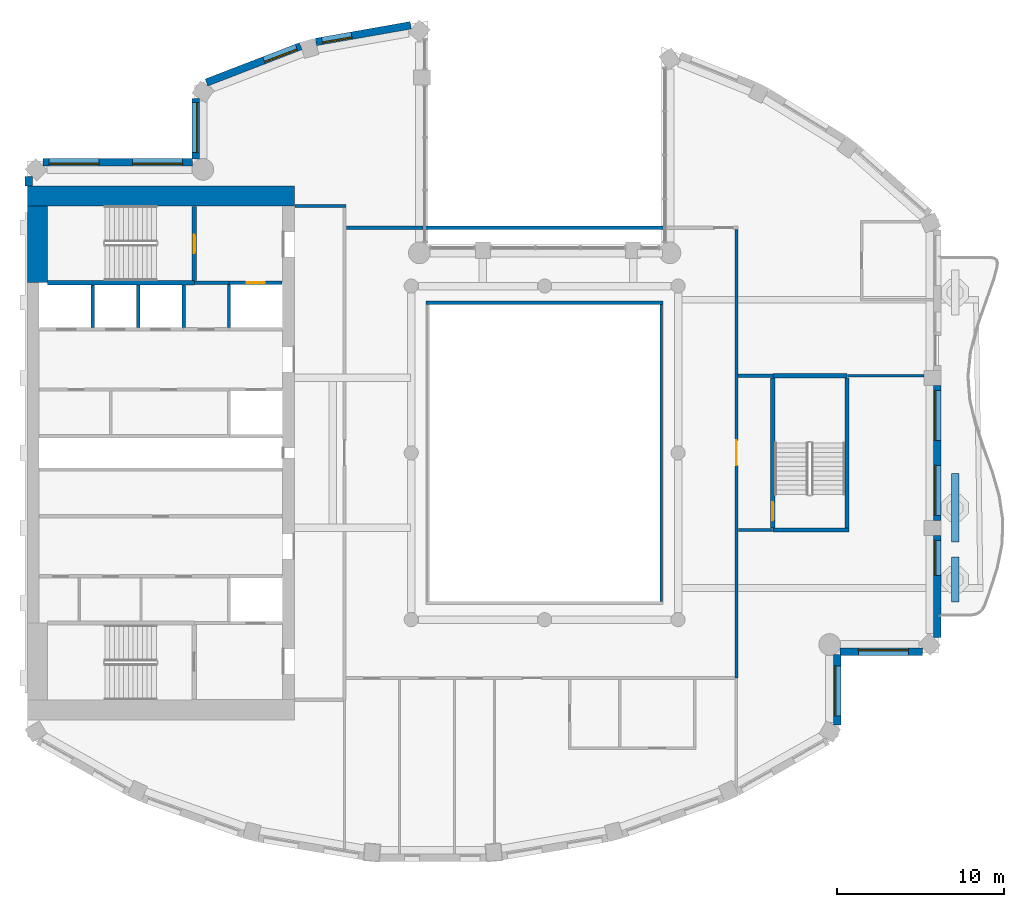
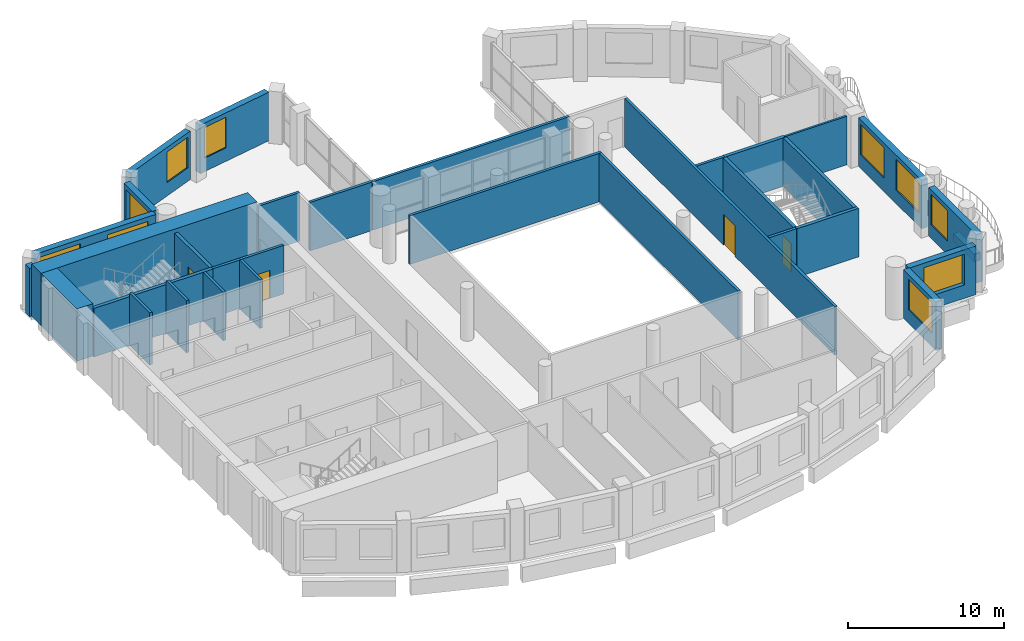
# One storey, part 6 of 14: 34 walls, 10 windows, 4 doors, 14 openings.
"""IFC4 building model written with IfcOpenShell, lengths in metres."""

from ifc_helpers import new_model, si_unit, direction, frame, frame_2d, origin, place, context, subcontext, project, spatial, rectangle, extrude, material, layer, layer_set, type_object, element, fill, save


model = new_model("IFC4")

# Units and contexts
model_context = context("Model", 3, precision=1e-05, world=origin(), true_north=direction((0.0, 1.0)))
body_context = subcontext(model_context, "Body", "Model", "MODEL_VIEW")
ifc_project = project(units=[si_unit("LENGTHUNIT", "METRE"), si_unit("AREAUNIT", "SQUARE_METRE"), si_unit("VOLUMEUNIT", "CUBIC_METRE"), si_unit("PLANEANGLEUNIT", "RADIAN"), si_unit("MASSUNIT", "GRAM", prefix="KILO")], contexts=[model_context])

# Site, building, storey
site_placement = place(None, origin())
site = spatial("IfcSite", under=ifc_project, at=site_placement, CompositionType="ELEMENT")
building_placement = place(site_placement, origin())
building = spatial("IfcBuilding", under=site, at=building_placement, Name="Cypress Arch Tower", CompositionType="ELEMENT")
storey_placement = place(building_placement, frame((0.0, 0.0, 263.89990234375)))
storey = spatial("IfcBuildingStorey", under=building, at=storey_placement, Name="L59", CompositionType="ELEMENT", Elevation=263.89990234375)

# Walls
ifc_material_1 = material(Name="Concrete C40/50, waterproofed", Category="concrete")
ifc_layer_1 = layer(ifc_material_1, 0.449951171875)
ifc_layer_set_1 = layer_set([ifc_layer_1], Name="Balcony planter wall PW450")
wall_type_1 = type_object("IfcWallType", Name="Balcony planter wall PW450", PredefinedType="SOLIDWALL", material=ifc_layer_set_1)
wall_1_placement = place(storey_placement, frame((25.60009765625, -8.949951171875, 0.0), z_axis=(0.0, 0.0, 1.0), x_axis=(0.0, 1.0, 0.0)))
element("IfcWall", 1, at=wall_1_placement, inside=storey, type_object=wall_type_1, Name="Balcony planter wall L59-C17.1", PredefinedType="SOLIDWALL", context=body_context, shape_type="SweptSolid", body=[
    extrude(rectangle(XDim=2.699951171875, YDim=0.449951171875, at=frame_2d((1.35009765625, 0.0))), origin(), (0.0, 0.0, 1.0), 0.60009765625),
])
wall_2_placement = place(storey_placement, frame((25.60009765625, -5.35009765625, 0.0), z_axis=(0.0, 0.0, 1.0), x_axis=(0.0, 1.0, 0.0)))
element("IfcWall", 2, at=wall_2_placement, inside=storey, type_object=wall_type_1, Name="Balcony planter wall L59-C17.2", PredefinedType="SOLIDWALL", context=body_context, shape_type="SweptSolid", body=[
    extrude(rectangle(XDim=4.10009765625, YDim=0.449951171875, at=frame_2d((2.050048828125, 0.0))), origin(), (0.0, 0.0, 1.0), 0.60009765625),
])

# Wall, opening, window
ifc_material_2 = material(Name="Brick (red buff blend)", Category="masonry")
ifc_layer_2 = layer(ifc_material_2, 0.449951171875)
ifc_layer_set_2 = layer_set([ifc_layer_2], Name="Brick pier and spandrel wall BW450")
wall_type_2 = type_object("IfcWallType", Name="Brick pier and spandrel wall BW450", PredefinedType="SOLIDWALL", material=ifc_layer_set_2)
wall_3_placement = place(storey_placement, frame((-7.028564453125, 25.63232421875, 0.0), z_axis=(0.0, 0.0, 1.0), x_axis=(-0.984797606634, -0.173705710808, 0.0)))
wall_3 = element("IfcWall", 3, at=wall_3_placement, inside=storey, type_object=wall_type_2, Name="Brick wall L59 C03.0", PredefinedType="SOLIDWALL", context=body_context, shape_type="SweptSolid", body=[
    extrude(rectangle(XDim=5.772216796875, YDim=0.449951171875, at=frame_2d((2.88623046875, 0.0))), origin(), (0.0, 0.0, 1.0), 3.800048828125),
])
opening_1_placement = place(wall_3_placement, frame((3.59326171875, 0.0, 1.050048828125)))
opening_1 = element("IfcOpeningElement", 4, at=opening_1_placement, cuts=wall_3, Name="Opening W180O", PredefinedType="OPENING", context=body_context, shape_type="SweptSolid", body=[
    extrude(rectangle(XDim=1.800048828125, YDim=2.39990234375, at=frame_2d((0.89990234375, 1.199951171875))), frame((0.0, 0.23486328125, 0.0), z_axis=(0.0, -1.0, 0.0), x_axis=(1.0, 0.0, 0.0)), (0.0, 0.0, 1.0), 0.469970703125),
])
ifc_material_3 = material(Name="Anodised aluminium, bronze finish, clear low-emissivity double glazing", Category="aluminium")
window_type_1 = type_object("IfcWindowType", Name="Window Office 1800x2400", PartitioningType="SINGLE_PANEL", PredefinedType="WINDOW", material=ifc_material_3)
window_1_placement = place(opening_1_placement, origin())
window_1 = element("IfcWindow", 5, at=window_1_placement, inside=storey, type_object=window_type_1, Name="Window L59 C03.0.2", OverallHeight=2.39990234375, OverallWidth=1.800048828125, PartitioningType="SINGLE_PANEL", PredefinedType="WINDOW", context=body_context, shape_type="SweptSolid", body=[
    extrude(rectangle(XDim=1.800048828125, YDim=2.39990234375, at=frame_2d((0.89990234375, 1.199951171875))), frame((0.0, 0.135009765625, 0.0), z_axis=(0.0, -1.0, 0.0), x_axis=(1.0, 0.0, 0.0)), (0.0, 0.0, 1.0), 0.06005859375),
])
fill(opening_1, window_1)

wall_4_placement = place(storey_placement, frame((-13.6220703125, 24.376953125, 0.0), z_axis=(0.0, 0.0, 1.0), x_axis=(-0.933129259679, -0.359541075164, 0.0)))
wall_4 = element("IfcWall", 6, at=wall_4_placement, inside=storey, type_object=wall_type_2, Name="Brick wall L59 C04.0", PredefinedType="SOLIDWALL", context=body_context, shape_type="SweptSolid", body=[
    extrude(rectangle(XDim=6.05419921875, YDim=0.449951171875, at=frame_2d((3.027099609375, 0.0))), origin(), (0.0, 0.0, 1.0), 3.800048828125),
])
opening_2_placement = place(wall_4_placement, frame((0.260986328125, 0.0, 1.050048828125)))
opening_2 = element("IfcOpeningElement", 7, at=opening_2_placement, cuts=wall_4, Name="Opening W210O", PredefinedType="OPENING", context=body_context, shape_type="SweptSolid", body=[
    extrude(rectangle(XDim=2.10009765625, YDim=2.39990234375, at=frame_2d((1.050048828125, 1.199951171875))), frame((0.0, 0.23486328125, 0.0), z_axis=(0.0, -1.0, 0.0), x_axis=(1.0, 0.0, 0.0)), (0.0, 0.0, 1.0), 0.469970703125),
])
ifc_material_4 = material(Name="Anodised aluminium, bronze finish, clear low-emissivity double glazing", Category="aluminium")
window_type_2 = type_object("IfcWindowType", Name="Window Office 2100x2400", PartitioningType="SINGLE_PANEL", PredefinedType="WINDOW", material=ifc_material_4)
window_2_placement = place(opening_2_placement, origin())
window_2 = element("IfcWindow", 8, at=window_2_placement, inside=storey, type_object=window_type_2, Name="Window L59 C04.0.1", OverallHeight=2.39990234375, OverallWidth=2.10009765625, PartitioningType="SINGLE_PANEL", PredefinedType="WINDOW", context=body_context, shape_type="SweptSolid", body=[
    extrude(rectangle(XDim=2.10009765625, YDim=2.39990234375, at=frame_2d((1.050048828125, 1.199951171875))), frame((0.0, 0.135009765625, 0.0), z_axis=(0.0, -1.0, 0.0), x_axis=(1.0, 0.0, 0.0)), (0.0, 0.0, 1.0), 0.06005859375),
])
fill(opening_2, window_2)

wall_5_placement = place(storey_placement, frame((-19.925048828125, 21.248291015625, 0.0), z_axis=(0.0, 0.0, 1.0), x_axis=(0.0, -1.0, 0.0)))
wall_5 = element("IfcWall", 9, at=wall_5_placement, inside=storey, type_object=wall_type_2, Name="Brick wall L59 C05.0", PredefinedType="SOLIDWALL", context=body_context, shape_type="SweptSolid", body=[
    extrude(rectangle(XDim=3.646728515625, YDim=0.449951171875, at=frame_2d((1.8232421875, 0.0))), origin(), (0.0, 0.0, 1.0), 3.800048828125),
])
opening_3_placement = place(wall_5_placement, frame((0.251220703125, 0.0, 1.050048828125)))
opening_3 = element("IfcOpeningElement", 10, at=opening_3_placement, cuts=wall_5, Name="Opening W300O", PredefinedType="OPENING", context=body_context, shape_type="SweptSolid", body=[
    extrude(rectangle(XDim=3.0, YDim=2.39990234375, at=frame_2d((1.5, 1.199951171875))), frame((0.0, 0.23486328125, 0.0), z_axis=(0.0, -1.0, 0.0), x_axis=(1.0, 0.0, 0.0)), (0.0, 0.0, 1.0), 0.469970703125),
])
ifc_material_5 = material(Name="Anodised aluminium, bronze finish, clear low-emissivity double glazing", Category="aluminium")
window_type_3 = type_object("IfcWindowType", Name="Window Office 3000x2400", PartitioningType="SINGLE_PANEL", PredefinedType="WINDOW", material=ifc_material_5)
window_3_placement = place(opening_3_placement, origin())
window_3 = element("IfcWindow", 11, at=window_3_placement, inside=storey, type_object=window_type_3, Name="Window L59 C05.0.1", OverallHeight=2.39990234375, OverallWidth=3.0, PartitioningType="SINGLE_PANEL", PredefinedType="WINDOW", context=body_context, shape_type="SweptSolid", body=[
    extrude(rectangle(XDim=3.0, YDim=2.39990234375, at=frame_2d((1.5, 1.199951171875))), frame((0.0, 0.135009765625, 0.0), z_axis=(0.0, -1.0, 0.0), x_axis=(1.0, 0.0, 0.0)), (0.0, 0.0, 1.0), 0.06005859375),
])
fill(opening_3, window_3)

# Wall, openings, windows
wall_6_placement = place(storey_placement, frame((-20.1015625, 17.425048828125, 0.0), z_axis=(0.0, 0.0, 1.0), x_axis=(-1.0, 0.0, 0.0)))
wall_6 = element("IfcWall", 12, at=wall_6_placement, inside=storey, type_object=wall_type_2, Name="Brick wall L59 C06.0", PredefinedType="SOLIDWALL", context=body_context, shape_type="SweptSolid", body=[
    extrude(rectangle(XDim=8.962158203125, YDim=0.449951171875, at=frame_2d((4.48095703125, 0.0))), origin(), (0.0, 0.0, 1.0), 3.800048828125),
])
opening_4_placement = place(wall_6_placement, frame((0.598388671875, 0.0, 1.050048828125)))
opening_4 = element("IfcOpeningElement", 13, at=opening_4_placement, cuts=wall_6, Name="Opening W300O", PredefinedType="OPENING", context=body_context, shape_type="SweptSolid", body=[
    extrude(rectangle(XDim=3.0, YDim=2.39990234375, at=frame_2d((1.5, 1.199951171875))), frame((0.0, 0.23486328125, 0.0), z_axis=(0.0, -1.0, 0.0), x_axis=(1.0, 0.0, 0.0)), (0.0, 0.0, 1.0), 0.469970703125),
])
opening_5_placement = place(wall_6_placement, frame((5.598388671875, 0.0, 1.050048828125)))
opening_5 = element("IfcOpeningElement", 14, at=opening_5_placement, cuts=wall_6, Name="Opening W300O", PredefinedType="OPENING", context=body_context, shape_type="SweptSolid", body=[
    extrude(rectangle(XDim=3.0, YDim=2.39990234375, at=frame_2d((1.5, 1.199951171875))), frame((0.0, 0.23486328125, 0.0), z_axis=(0.0, -1.0, 0.0), x_axis=(1.0, 0.0, 0.0)), (0.0, 0.0, 1.0), 0.469970703125),
])
window_4_placement = place(opening_4_placement, origin())
window_4 = element("IfcWindow", 15, at=window_4_placement, inside=storey, type_object=window_type_3, Name="Window L59 C06.0.1", OverallHeight=2.39990234375, OverallWidth=3.0, PartitioningType="SINGLE_PANEL", PredefinedType="WINDOW", context=body_context, shape_type="SweptSolid", body=[
    extrude(rectangle(XDim=3.0, YDim=2.39990234375, at=frame_2d((1.5, 1.199951171875))), frame((0.0, 0.135009765625, 0.0), z_axis=(0.0, -1.0, 0.0), x_axis=(1.0, 0.0, 0.0)), (0.0, 0.0, 1.0), 0.06005859375),
])
fill(opening_4, window_4)
window_5_placement = place(opening_5_placement, origin())
window_5 = element("IfcWindow", 16, at=window_5_placement, inside=storey, type_object=window_type_3, Name="Window L59 C06.0.2", OverallHeight=2.39990234375, OverallWidth=3.0, PartitioningType="SINGLE_PANEL", PredefinedType="WINDOW", context=body_context, shape_type="SweptSolid", body=[
    extrude(rectangle(XDim=3.0, YDim=2.39990234375, at=frame_2d((1.5, 1.199951171875))), frame((0.0, 0.135009765625, 0.0), z_axis=(0.0, -1.0, 0.0), x_axis=(1.0, 0.0, 0.0)), (0.0, 0.0, 1.0), 0.06005859375),
])
fill(opening_5, window_5)

# Wall
wall_7_placement = place(storey_placement, frame((-29.925048828125, 16.563720703125, 0.0), z_axis=(0.0, 0.0, 1.0), x_axis=(0.0, -1.0, 0.0)))
element("IfcWall", 17, at=wall_7_placement, inside=storey, type_object=wall_type_2, Name="Brick wall L59 C07.0", PredefinedType="SOLIDWALL", context=body_context, shape_type="SweptSolid", body=[
    extrude(rectangle(XDim=0.563720703125, YDim=0.449951171875, at=frame_2d((0.28173828125, 0.0))), origin(), (0.0, 0.0, 1.0), 3.800048828125),
])

# Wall, opening, window
wall_8_placement = place(storey_placement, frame((18.52490234375, -16.3037109375, 0.0), z_axis=(0.0, 0.0, 1.0), x_axis=(0.0, 1.0, 0.0)))
wall_8 = element("IfcWall", 18, at=wall_8_placement, inside=storey, type_object=wall_type_2, Name="Brick wall L59 C15.0", PredefinedType="SOLIDWALL", context=body_context, shape_type="SweptSolid", body=[
    extrude(rectangle(XDim=4.2021484375, YDim=0.449951171875, at=frame_2d((2.10107421875, 0.0))), origin(), (0.0, 0.0, 1.0), 3.800048828125),
])
opening_6_placement = place(wall_8_placement, frame((0.541259765625, 0.0, 1.050048828125)))
opening_6 = element("IfcOpeningElement", 19, at=opening_6_placement, cuts=wall_8, Name="Opening W300O", PredefinedType="OPENING", context=body_context, shape_type="SweptSolid", body=[
    extrude(rectangle(XDim=3.0, YDim=2.39990234375, at=frame_2d((1.5, 1.199951171875))), frame((0.0, 0.23486328125, 0.0), z_axis=(0.0, -1.0, 0.0), x_axis=(1.0, 0.0, 0.0)), (0.0, 0.0, 1.0), 0.469970703125),
])
window_6_placement = place(opening_6_placement, origin())
window_6 = element("IfcWindow", 20, at=window_6_placement, inside=storey, type_object=window_type_3, Name="Window L59 C15.0.1", OverallHeight=2.39990234375, OverallWidth=3.0, PartitioningType="SINGLE_PANEL", PredefinedType="WINDOW", context=body_context, shape_type="SweptSolid", body=[
    extrude(rectangle(XDim=3.0, YDim=2.39990234375, at=frame_2d((1.5, 1.199951171875))), frame((0.0, 0.135009765625, 0.0), z_axis=(0.0, -1.0, 0.0), x_axis=(1.0, 0.0, 0.0)), (0.0, 0.0, 1.0), 0.06005859375),
])
fill(opening_6, window_6)

wall_9_placement = place(storey_placement, frame((18.701416015625, -11.925048828125, 0.0), z_axis=(0.0, 0.0, 1.0), x_axis=(1.0, 0.0, 0.0)))
wall_9 = element("IfcWall", 21, at=wall_9_placement, inside=storey, type_object=wall_type_2, Name="Brick wall L59 C16.0", PredefinedType="SOLIDWALL", context=body_context, shape_type="SweptSolid", body=[
    extrude(rectangle(XDim=4.962158203125, YDim=0.449951171875, at=frame_2d((2.48095703125, 0.0))), origin(), (0.0, 0.0, 1.0), 3.800048828125),
])
opening_7_placement = place(wall_9_placement, frame((1.098388671875, 0.0, 1.050048828125)))
opening_7 = element("IfcOpeningElement", 22, at=opening_7_placement, cuts=wall_9, Name="Opening W300O", PredefinedType="OPENING", context=body_context, shape_type="SweptSolid", body=[
    extrude(rectangle(XDim=3.0, YDim=2.39990234375, at=frame_2d((1.5, 1.199951171875))), frame((0.0, 0.23486328125, 0.0), z_axis=(0.0, -1.0, 0.0), x_axis=(1.0, 0.0, 0.0)), (0.0, 0.0, 1.0), 0.469970703125),
])
window_7_placement = place(opening_7_placement, origin())
window_7 = element("IfcWindow", 23, at=window_7_placement, inside=storey, type_object=window_type_3, Name="Window L59 C16.0.1", OverallHeight=2.39990234375, OverallWidth=3.0, PartitioningType="SINGLE_PANEL", PredefinedType="WINDOW", context=body_context, shape_type="SweptSolid", body=[
    extrude(rectangle(XDim=3.0, YDim=2.39990234375, at=frame_2d((1.5, 1.199951171875))), frame((0.0, 0.135009765625, 0.0), z_axis=(0.0, -1.0, 0.0), x_axis=(1.0, 0.0, 0.0)), (0.0, 0.0, 1.0), 0.06005859375),
])
fill(opening_7, window_7)

wall_10_placement = place(storey_placement, frame((24.52490234375, -11.063720703125, 0.0), z_axis=(0.0, 0.0, 1.0), x_axis=(0.0, 1.0, 0.0)))
wall_10 = element("IfcWall", 24, at=wall_10_placement, inside=storey, type_object=wall_type_2, Name="Brick wall L59 C17.0", PredefinedType="SOLIDWALL", context=body_context, shape_type="SweptSolid", body=[
    extrude(rectangle(XDim=6.11376953125, YDim=0.449951171875, at=frame_2d((3.056884765625, 0.0))), origin(), (0.0, 0.0, 1.0), 3.800048828125),
])
opening_8_placement = place(wall_10_placement, frame((3.713623046875, 0.0, 1.050048828125)))
opening_8 = element("IfcOpeningElement", 25, at=opening_8_placement, cuts=wall_10, Name="Opening W210OD", PredefinedType="OPENING", context=body_context, shape_type="SweptSolid", body=[
    extrude(rectangle(XDim=2.10009765625, YDim=2.39990234375, at=frame_2d((1.050048828125, 1.199951171875))), frame((0.0, 0.23486328125, 0.0), z_axis=(0.0, -1.0, 0.0), x_axis=(1.0, 0.0, 0.0)), (0.0, 0.0, 1.0), 0.469970703125),
])
ifc_material_6 = material(Name="Anodised aluminium, bronze finish, laminated low-emissivity double glazing, large-missile impact rated", Category="aluminium")
window_type_4 = type_object("IfcWindowType", Name="Window Office 2100x2400 debris-rated", PartitioningType="SINGLE_PANEL", PredefinedType="WINDOW", material=ifc_material_6)
window_8_placement = place(opening_8_placement, origin())
window_8 = element("IfcWindow", 26, at=window_8_placement, inside=storey, type_object=window_type_4, Name="Window L59 C17.0.2", OverallHeight=2.39990234375, OverallWidth=2.10009765625, PartitioningType="SINGLE_PANEL", PredefinedType="WINDOW", context=body_context, shape_type="SweptSolid", body=[
    extrude(rectangle(XDim=2.10009765625, YDim=2.39990234375, at=frame_2d((1.050048828125, 1.199951171875))), frame((0.0, 0.135009765625, 0.0), z_axis=(0.0, -1.0, 0.0), x_axis=(1.0, 0.0, 0.0)), (0.0, 0.0, 1.0), 0.06005859375),
])
fill(opening_8, window_8)

# Wall, openings, windows
wall_11_placement = place(storey_placement, frame((24.52490234375, -4.050048828125, 0.0), z_axis=(0.0, 0.0, 1.0), x_axis=(0.0, 1.0, 0.0)))
wall_11 = element("IfcWall", 27, at=wall_11_placement, inside=storey, type_object=wall_type_2, Name="Brick wall L59 C17.1", PredefinedType="SOLIDWALL", context=body_context, shape_type="SweptSolid", body=[
    extrude(rectangle(XDim=8.10009765625, YDim=0.449951171875, at=frame_2d((4.050048828125, 0.0))), origin(), (0.0, 0.0, 1.0), 3.800048828125),
])
opening_9_placement = place(wall_11_placement, frame((0.300048828125, 0.0, 1.050048828125)))
opening_9 = element("IfcOpeningElement", 28, at=opening_9_placement, cuts=wall_11, Name="Opening W300OD", PredefinedType="OPENING", context=body_context, shape_type="SweptSolid", body=[
    extrude(rectangle(XDim=3.0, YDim=2.39990234375, at=frame_2d((1.5, 1.199951171875))), frame((0.0, 0.23486328125, 0.0), z_axis=(0.0, -1.0, 0.0), x_axis=(1.0, 0.0, 0.0)), (0.0, 0.0, 1.0), 0.469970703125),
])
opening_10_placement = place(wall_11_placement, frame((4.800048828125, 0.0, 1.050048828125)))
opening_10 = element("IfcOpeningElement", 29, at=opening_10_placement, cuts=wall_11, Name="Opening W300OD", PredefinedType="OPENING", context=body_context, shape_type="SweptSolid", body=[
    extrude(rectangle(XDim=3.0, YDim=2.39990234375, at=frame_2d((1.5, 1.199951171875))), frame((0.0, 0.23486328125, 0.0), z_axis=(0.0, -1.0, 0.0), x_axis=(1.0, 0.0, 0.0)), (0.0, 0.0, 1.0), 0.469970703125),
])
ifc_material_7 = material(Name="Anodised aluminium, bronze finish, laminated low-emissivity double glazing, large-missile impact rated", Category="aluminium")
window_type_5 = type_object("IfcWindowType", Name="Window Office 3000x2400 debris-rated", PartitioningType="SINGLE_PANEL", PredefinedType="WINDOW", material=ifc_material_7)
window_9_placement = place(opening_9_placement, origin())
window_9 = element("IfcWindow", 30, at=window_9_placement, inside=storey, type_object=window_type_5, Name="Window L59 C17.1.1", OverallHeight=2.39990234375, OverallWidth=3.0, PartitioningType="SINGLE_PANEL", PredefinedType="WINDOW", context=body_context, shape_type="SweptSolid", body=[
    extrude(rectangle(XDim=3.0, YDim=2.39990234375, at=frame_2d((1.5, 1.199951171875))), frame((0.0, 0.135009765625, 0.0), z_axis=(0.0, -1.0, 0.0), x_axis=(1.0, 0.0, 0.0)), (0.0, 0.0, 1.0), 0.06005859375),
])
fill(opening_9, window_9)
window_10_placement = place(opening_10_placement, origin())
window_10 = element("IfcWindow", 31, at=window_10_placement, inside=storey, type_object=window_type_5, Name="Window L59 C17.1.2", OverallHeight=2.39990234375, OverallWidth=3.0, PartitioningType="SINGLE_PANEL", PredefinedType="WINDOW", context=body_context, shape_type="SweptSolid", body=[
    extrude(rectangle(XDim=3.0, YDim=2.39990234375, at=frame_2d((1.5, 1.199951171875))), frame((0.0, 0.135009765625, 0.0), z_axis=(0.0, -1.0, 0.0), x_axis=(1.0, 0.0, 0.0)), (0.0, 0.0, 1.0), 0.06005859375),
])
fill(opening_10, window_10)

# Walls
ifc_material_8 = material(Name="Concrete C60/75", Category="concrete")
ifc_layer_3 = layer(ifc_material_8, 1.199951171875)
ifc_layer_set_3 = layer_set([ifc_layer_3], Name="Core wall CW1200 C60/75")
wall_type_3 = type_object("IfcWallType", Name="Core wall CW1200 C60/75", PredefinedType="SHEAR", material=ifc_layer_set_3)
wall_12_placement = place(storey_placement, frame((-30.0, 15.39990234375, 0.0), z_axis=(0.0, 0.0, 1.0), x_axis=(1.0, 0.0, 0.0)))
element("IfcWall", 32, at=wall_12_placement, inside=storey, type_object=wall_type_3, Name="Core wall", PredefinedType="SHEAR", context=body_context, shape_type="SweptSolid", body=[
    extrude(rectangle(XDim=16.0, YDim=1.199951171875, at=frame_2d((8.0, 0.0))), origin(), (0.0, 0.0, 1.0), 4.10009765625),
])
wall_13_placement = place(storey_placement, frame((-29.39990234375, 10.199951171875, 0.0), z_axis=(0.0, 0.0, 1.0), x_axis=(0.0, 1.0, 0.0)))
element("IfcWall", 33, at=wall_13_placement, inside=storey, type_object=wall_type_3, Name="Core wall", PredefinedType="SHEAR", context=body_context, shape_type="SweptSolid", body=[
    extrude(rectangle(XDim=4.60009765625, YDim=1.199951171875, at=frame_2d((2.300048828125, 0.0))), origin(), (0.0, 0.0, 1.0), 4.10009765625),
])
ifc_material_9 = material(Name="Concrete blockwork, plastered, rated", Category="masonry")
ifc_layer_4 = layer(ifc_material_9, 0.199951171875)
ifc_layer_set_4 = layer_set([ifc_layer_4], Name="Corridor wall FW200")
wall_type_4 = type_object("IfcWallType", Name="Corridor wall FW200", PredefinedType="PARTITIONING", material=ifc_layer_set_4)
wall_14_placement = place(storey_placement, frame((-20.0, 10.199951171875, 0.0), z_axis=(0.0, 0.0, 1.0), x_axis=(1.0, 0.0, 0.0)))
element("IfcWall", 34, at=wall_14_placement, inside=storey, type_object=wall_type_4, Name="Corridor wall", PredefinedType="PARTITIONING", context=body_context, shape_type="SweptSolid", body=[
    extrude(rectangle(XDim=2.080078125, YDim=0.199951171875, at=frame_2d((1.0400390625, 0.0))), origin(), (0.0, 0.0, 1.0), 3.800048828125),
])
wall_15_placement = place(storey_placement, frame((-13.969970703125, 14.800048828125, 0.0), z_axis=(0.0, 0.0, 1.0), x_axis=(1.0, 0.0, 0.0)))
element("IfcWall", 35, at=wall_15_placement, inside=storey, type_object=wall_type_4, Name="Corridor wall", PredefinedType="PARTITIONING", context=body_context, shape_type="SweptSolid", body=[
    extrude(rectangle(XDim=3.070068359375, YDim=0.199951171875, at=frame_2d((1.53515625, 0.0))), origin(), (0.0, 0.0, 1.0), 3.800048828125),
])
wall_16_placement = place(storey_placement, frame((-10.8798828125, 13.5, 0.0), z_axis=(0.0, 0.0, 1.0), x_axis=(1.0, 0.0, 0.0)))
element("IfcWall", 36, at=wall_16_placement, inside=storey, type_object=wall_type_4, Name="Corridor wall", PredefinedType="PARTITIONING", context=body_context, shape_type="SweptSolid", body=[
    extrude(rectangle(XDim=4.579833984375, YDim=0.199951171875, at=frame_2d((2.2900390625, 0.0))), origin(), (0.0, 0.0, 1.0), 3.800048828125),
])
wall_17_placement = place(storey_placement, frame((-6.27001953125, 13.5, 0.0), z_axis=(0.0, 0.0, 1.0), x_axis=(1.0, 0.0, 0.0)))
element("IfcWall", 37, at=wall_17_placement, inside=storey, type_object=wall_type_4, Name="Corridor wall", PredefinedType="PARTITIONING", context=body_context, shape_type="SweptSolid", body=[
    extrude(rectangle(XDim=14.570068359375, YDim=0.199951171875, at=frame_2d((7.28515625, 0.0))), origin(), (0.0, 0.0, 1.0), 3.800048828125),
])
wall_18_placement = place(storey_placement, frame((-6.10009765625, 9.0, 0.0), z_axis=(0.0, 0.0, 1.0), x_axis=(1.0, 0.0, 0.0)))
element("IfcWall", 38, at=wall_18_placement, inside=storey, type_object=wall_type_4, Name="Corridor wall", PredefinedType="PARTITIONING", context=body_context, shape_type="SweptSolid", body=[
    extrude(rectangle(XDim=14.2001953125, YDim=0.199951171875, at=frame_2d((7.10009765625, 0.0))), origin(), (0.0, 0.0, 1.0), 3.800048828125),
])
wall_19_placement = place(storey_placement, frame((8.0, -8.89990234375, 0.0), z_axis=(0.0, 0.0, 1.0), x_axis=(0.0, 1.0, 0.0)))
element("IfcWall", 39, at=wall_19_placement, inside=storey, type_object=wall_type_4, Name="Corridor wall", PredefinedType="PARTITIONING", context=body_context, shape_type="SweptSolid", body=[
    extrude(rectangle(XDim=17.7998046875, YDim=0.199951171875, at=frame_2d((8.89990234375, 0.0))), origin(), (0.0, 0.0, 1.0), 3.800048828125),
])

# Wall, opening, door
wall_20_placement = place(storey_placement, frame((12.5, -13.5, 0.0), z_axis=(0.0, 0.0, 1.0), x_axis=(0.0, 1.0, 0.0)))
wall_20 = element("IfcWall", 40, at=wall_20_placement, inside=storey, type_object=wall_type_4, Name="Corridor wall", PredefinedType="PARTITIONING", context=body_context, shape_type="SweptSolid", body=[
    extrude(rectangle(XDim=26.89990234375, YDim=0.199951171875, at=frame_2d((13.449951171875, 0.0))), origin(), (0.0, 0.0, 1.0), 3.800048828125),
])
opening_11_placement = place(wall_20_placement, frame((12.75, 0.0, 0.0)))
opening_11 = element("IfcOpeningElement", 41, at=opening_11_placement, cuts=wall_20, Name="Opening D07", PredefinedType="OPENING", context=body_context, shape_type="SweptSolid", body=[
    extrude(rectangle(XDim=1.5, YDim=2.39990234375, at=frame_2d((0.75, 1.199951171875))), frame((0.0, 0.10986328125, 0.0), z_axis=(0.0, -1.0, 0.0), x_axis=(1.0, 0.0, 0.0)), (0.0, 0.0, 1.0), 0.219970703125),
])
ifc_material_10 = material(Name="Steel framed glazed door, fire resisting", Category="steel")
door_type_1 = type_object("IfcDoorType", Name="Lobby door D07 1500x2400", OperationType="DOUBLE_DOOR_SINGLE_SWING", PredefinedType="DOOR", material=ifc_material_10)
door_1_placement = place(opening_11_placement, origin())
door_1 = element("IfcDoor", 42, at=door_1_placement, inside=storey, type_object=door_type_1, Name="Lobby door", OperationType="DOUBLE_DOOR_SINGLE_SWING", OverallHeight=2.39990234375, OverallWidth=1.5, PredefinedType="DOOR", context=body_context, shape_type="SweptSolid", body=[
    extrude(rectangle(XDim=1.5, YDim=2.39990234375, at=frame_2d((0.75, 1.199951171875))), frame((0.0, 0.02490234375, 0.0), z_axis=(0.0, -1.0, 0.0), x_axis=(1.0, 0.0, 0.0)), (0.0, 0.0, 1.0), 0.050048828125),
])
fill(opening_11, door_1)

# Walls
wall_21_placement = place(storey_placement, frame((12.60009765625, 4.625, 0.0), z_axis=(0.0, 0.0, 1.0), x_axis=(1.0, 0.0, 0.0)))
element("IfcWall", 43, at=wall_21_placement, inside=storey, type_object=wall_type_4, Name="Corridor wall", PredefinedType="PARTITIONING", context=body_context, shape_type="SweptSolid", body=[
    extrude(rectangle(XDim=2.074951171875, YDim=0.199951171875, at=frame_2d((1.03759765625, 0.0))), origin(), (0.0, 0.0, 1.0), 3.800048828125),
])
wall_22_placement = place(storey_placement, frame((12.6201171875, -4.625, 0.0), z_axis=(0.0, 0.0, 1.0), x_axis=(1.0, 0.0, 0.0)))
element("IfcWall", 44, at=wall_22_placement, inside=storey, type_object=wall_type_4, Name="Corridor wall", PredefinedType="PARTITIONING", context=body_context, shape_type="SweptSolid", body=[
    extrude(rectangle(XDim=2.034912109375, YDim=0.199951171875, at=frame_2d((1.017578125, 0.0))), origin(), (0.0, 0.0, 1.0), 3.800048828125),
])
ifc_material_11 = material(Name="Blockwork, plastered both sides", Category="masonry")
ifc_layer_5 = layer(ifc_material_11, 0.14990234375)
ifc_layer_set_5 = layer_set([ifc_layer_5], Name="Partition PW150")
wall_type_5 = type_object("IfcWallType", Name="Partition PW150", PredefinedType="PARTITIONING", material=ifc_layer_set_5)
wall_23_placement = place(storey_placement, frame((19.14501953125, 4.625, 0.0), z_axis=(0.0, 0.0, 1.0), x_axis=(1.0, 0.0, 0.0)))
element("IfcWall", 45, at=wall_23_placement, inside=storey, type_object=wall_type_5, Name="Partition", PredefinedType="PARTITIONING", context=body_context, shape_type="SweptSolid", body=[
    extrude(rectangle(XDim=4.60498046875, YDim=0.14990234375, at=frame_2d((2.302490234375, 0.0))), origin(), (0.0, 0.0, 1.0), 3.800048828125),
])
ifc_material_12 = material(Name="Concrete C50/60", Category="concrete")
ifc_layer_6 = layer(ifc_material_12, 0.199951171875)
ifc_layer_set_6 = layer_set([ifc_layer_6], Name="Shaft wall SH200")
wall_type_6 = type_object("IfcWallType", Name="Shaft wall SH200", PredefinedType="SHEAR", material=ifc_layer_set_6)
for number, where, z_axis, x_axis, name in (
    (46, (-26.080078125, 7.5, 0.0), (0.0, 0.0, 1.0), (0.0, 1.0, 0.0), "Shaft wall"),
    (47, (-23.360107421875, 7.5, 0.0), (0.0, 0.0, 1.0), (0.0, 1.0, 0.0), "Shaft wall"),
):
    element("IfcWall", number, at=place(storey_placement, frame(where, z_axis=z_axis, x_axis=x_axis)), inside=storey, type_object=wall_type_6, Name=name, PredefinedType="SHEAR", context=body_context, shape_type="SweptSolid", body=[
        extrude(rectangle(XDim=2.574951171875, YDim=0.199951171875, at=frame_2d((1.28759765625, 0.0))), origin(), (0.0, 0.0, 1.0), 4.10009765625),
    ])
wall_24_placement = place(storey_placement, frame((-20.639892578125, 7.5, 0.0), z_axis=(0.0, 0.0, 1.0), x_axis=(0.0, 1.0, 0.0)))
element("IfcWall", 48, at=wall_24_placement, inside=storey, type_object=wall_type_6, Name="Shaft wall", PredefinedType="SHEAR", context=body_context, shape_type="SweptSolid", body=[
    extrude(rectangle(XDim=2.574951171875, YDim=0.199951171875, at=frame_2d((1.28759765625, 0.0))), origin(), (0.0, 0.0, 1.0), 3.800048828125),
])
wall_25_placement = place(storey_placement, frame((-17.919921875, 7.5, 0.0), z_axis=(0.0, 0.0, 1.0), x_axis=(0.0, 1.0, 0.0)))
element("IfcWall", 49, at=wall_25_placement, inside=storey, type_object=wall_type_6, Name="Shaft wall", PredefinedType="SHEAR", context=body_context, shape_type="SweptSolid", body=[
    extrude(rectangle(XDim=2.60009765625, YDim=0.199951171875, at=frame_2d((1.300048828125, 0.0))), origin(), (0.0, 0.0, 1.0), 3.800048828125),
])

# Wall, opening, door
wall_26_placement = place(storey_placement, frame((-17.919921875, 10.199951171875, 0.0), z_axis=(0.0, 0.0, 1.0), x_axis=(1.0, 0.0, 0.0)))
wall_26 = element("IfcWall", 50, at=wall_26_placement, inside=storey, type_object=wall_type_6, Name="Shaft wall", PredefinedType="SHEAR", context=body_context, shape_type="SweptSolid", body=[
    extrude(rectangle(XDim=3.18994140625, YDim=0.199951171875, at=frame_2d((1.594970703125, 0.0))), origin(), (0.0, 0.0, 1.0), 3.800048828125),
])
opening_12_placement = place(wall_26_placement, frame((1.050048828125, 0.0, 0.0)))
opening_12 = element("IfcOpeningElement", 51, at=opening_12_placement, cuts=wall_26, Name="Opening LD-FL2", PredefinedType="OPENING", context=body_context, shape_type="SweptSolid", body=[
    extrude(rectangle(XDim=1.10009765625, YDim=2.199951171875, at=frame_2d((0.550048828125, 1.10009765625))), frame((0.0, 0.10986328125, 0.0), z_axis=(0.0, -1.0, 0.0), x_axis=(1.0, 0.0, 0.0)), (0.0, 0.0, 1.0), 0.219970703125),
])
ifc_material_13 = material(Name="Stainless steel centre-opening landing door, rated", Category="steel")
door_type_2 = type_object("IfcDoorType", Name="Lift landing door LD 1100x2200", OperationType="DOUBLE_DOOR_SLIDING", PredefinedType="DOOR", material=ifc_material_13)
door_2_placement = place(opening_12_placement, origin())
door_2 = element("IfcDoor", 52, at=door_2_placement, inside=storey, type_object=door_type_2, Name="Lift landing doors FL2", OperationType="DOUBLE_DOOR_SLIDING", OverallHeight=2.199951171875, OverallWidth=1.10009765625, PredefinedType="DOOR", context=body_context, shape_type="SweptSolid", body=[
    extrude(rectangle(XDim=1.10009765625, YDim=2.199951171875, at=frame_2d((0.550048828125, 1.10009765625))), frame((0.0, 0.02490234375, 0.0), z_axis=(0.0, -1.0, 0.0), x_axis=(1.0, 0.0, 0.0)), (0.0, 0.0, 1.0), 0.050048828125),
])
fill(opening_12, door_2)

# Wall
ifc_material_14 = material(Name="Concrete C50/60", Category="concrete")
ifc_layer_7 = layer(ifc_material_14, 0.25)
ifc_layer_set_7 = layer_set([ifc_layer_7], Name="Stair enclosure wall SW250")
wall_type_7 = type_object("IfcWallType", Name="Stair enclosure wall SW250", PredefinedType="SHEAR", material=ifc_layer_set_7)
wall_27_placement = place(storey_placement, frame((-28.81005859375, 10.199951171875, 0.0), z_axis=(0.0, 0.0, 1.0), x_axis=(1.0, 0.0, 0.0)))
element("IfcWall", 53, at=wall_27_placement, inside=storey, type_object=wall_type_7, Name="Stair enclosure wall", PredefinedType="SHEAR", context=body_context, shape_type="SweptSolid", body=[
    extrude(rectangle(XDim=8.81005859375, YDim=0.25, at=frame_2d((4.405029296875, 0.0))), origin(), (0.0, 0.0, 1.0), 3.800048828125),
])

# Wall, opening, door
wall_28_placement = place(storey_placement, frame((-20.0, 10.324951171875, 0.0), z_axis=(0.0, 0.0, 1.0), x_axis=(0.0, 1.0, 0.0)))
wall_28 = element("IfcWall", 54, at=wall_28_placement, inside=storey, type_object=wall_type_7, Name="Stair enclosure wall", PredefinedType="SHEAR", context=body_context, shape_type="SweptSolid", body=[
    extrude(rectangle(XDim=4.445068359375, YDim=0.25, at=frame_2d((2.22265625, 0.0))), origin(), (0.0, 0.0, 1.0), 3.800048828125),
])
opening_13_placement = place(wall_28_placement, frame((1.64990234375, 0.0, 0.0)))
opening_13 = element("IfcOpeningElement", 55, at=opening_13_placement, cuts=wall_28, Name="Opening D06", PredefinedType="OPENING", context=body_context, shape_type="SweptSolid", body=[
    extrude(rectangle(XDim=1.10009765625, YDim=2.199951171875, at=frame_2d((0.550048828125, 1.10009765625))), frame((0.0, 0.135009765625, 0.0), z_axis=(0.0, -1.0, 0.0), x_axis=(1.0, 0.0, 0.0)), (0.0, 0.0, 1.0), 0.27001953125),
])
ifc_material_15 = material(Name="Steel door, fire resisting, panic bar", Category="steel")
door_type_3 = type_object("IfcDoorType", Name="Stair door D06 1100x2200", OperationType="SINGLE_SWING_LEFT", PredefinedType="DOOR", material=ifc_material_15)
door_3_placement = place(opening_13_placement, origin())
door_3 = element("IfcDoor", 56, at=door_3_placement, inside=storey, type_object=door_type_3, Name="Stair door", OperationType="SINGLE_SWING_LEFT", OverallHeight=2.199951171875, OverallWidth=1.10009765625, PredefinedType="DOOR", context=body_context, shape_type="SweptSolid", body=[
    extrude(rectangle(XDim=1.10009765625, YDim=2.199951171875, at=frame_2d((0.550048828125, 1.10009765625))), frame((0.0, 0.02490234375, 0.0), z_axis=(0.0, -1.0, 0.0), x_axis=(1.0, 0.0, 0.0)), (0.0, 0.0, 1.0), 0.050048828125),
])
fill(opening_13, door_3)

wall_29_placement = place(storey_placement, frame((14.675048828125, -4.5, 0.0), z_axis=(0.0, 0.0, 1.0), x_axis=(0.0, 1.0, 0.0)))
wall_29 = element("IfcWall", 57, at=wall_29_placement, inside=storey, type_object=wall_type_7, Name="Stair enclosure wall", PredefinedType="SHEAR", context=body_context, shape_type="SweptSolid", body=[
    extrude(rectangle(XDim=9.0, YDim=0.25, at=frame_2d((4.5, 0.0))), origin(), (0.0, 0.0, 1.0), 3.800048828125),
])
opening_14_placement = place(wall_29_placement, frame((0.449951171875, 0.0, 0.0)))
opening_14 = element("IfcOpeningElement", 58, at=opening_14_placement, cuts=wall_29, Name="Opening D06", PredefinedType="OPENING", context=body_context, shape_type="SweptSolid", body=[
    extrude(rectangle(XDim=1.10009765625, YDim=2.199951171875, at=frame_2d((0.550048828125, 1.10009765625))), frame((0.0, 0.135009765625, 0.0), z_axis=(0.0, -1.0, 0.0), x_axis=(1.0, 0.0, 0.0)), (0.0, 0.0, 1.0), 0.27001953125),
])
door_4_placement = place(opening_14_placement, origin())
door_4 = element("IfcDoor", 59, at=door_4_placement, inside=storey, type_object=door_type_3, Name="Stair door", OperationType="SINGLE_SWING_RIGHT", OverallHeight=2.199951171875, OverallWidth=1.10009765625, PredefinedType="DOOR", context=body_context, shape_type="SweptSolid", body=[
    extrude(rectangle(XDim=1.10009765625, YDim=2.199951171875, at=frame_2d((0.550048828125, 1.10009765625))), frame((0.0, 0.02490234375, 0.0), z_axis=(0.0, -1.0, 0.0), x_axis=(1.0, 0.0, 0.0)), (0.0, 0.0, 1.0), 0.050048828125),
])
fill(opening_14, door_4)

# Walls
wall_30_placement = place(storey_placement, frame((14.675048828125, -4.625, 0.0), z_axis=(0.0, 0.0, 1.0), x_axis=(1.0, 0.0, 0.0)))
element("IfcWall", 60, at=wall_30_placement, inside=storey, type_object=wall_type_7, Name="Stair enclosure wall", PredefinedType="SHEAR", context=body_context, shape_type="SweptSolid", body=[
    extrude(rectangle(XDim=4.574951171875, YDim=0.25, at=frame_2d((2.28759765625, 0.0))), origin(), (0.0, 0.0, 1.0), 3.800048828125),
])
wall_31_placement = place(storey_placement, frame((14.675048828125, 4.625, 0.0), z_axis=(0.0, 0.0, 1.0), x_axis=(1.0, 0.0, 0.0)))
element("IfcWall", 61, at=wall_31_placement, inside=storey, type_object=wall_type_7, Name="Stair enclosure wall", PredefinedType="SHEAR", context=body_context, shape_type="SweptSolid", body=[
    extrude(rectangle(XDim=4.449951171875, YDim=0.25, at=frame_2d((2.22509765625, 0.0))), origin(), (0.0, 0.0, 1.0), 3.800048828125),
])
wall_32_placement = place(storey_placement, frame((19.125, -4.5, 0.0), z_axis=(0.0, 0.0, 1.0), x_axis=(0.0, 1.0, 0.0)))
element("IfcWall", 62, at=wall_32_placement, inside=storey, type_object=wall_type_7, Name="Stair enclosure wall", PredefinedType="SHEAR", context=body_context, shape_type="SweptSolid", body=[
    extrude(rectangle(XDim=9.0, YDim=0.25, at=frame_2d((4.5, 0.0))), origin(), (0.0, 0.0, 1.0), 3.800048828125),
])

save(model, "model.ifc")
